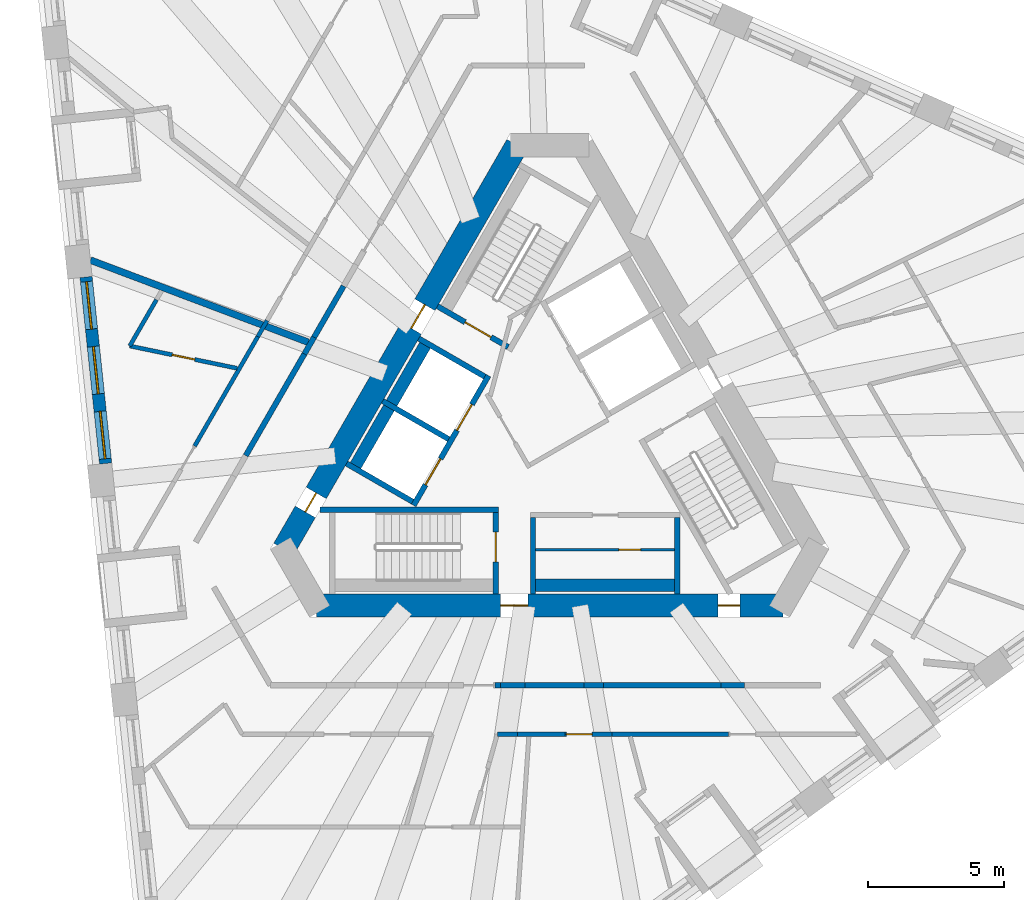
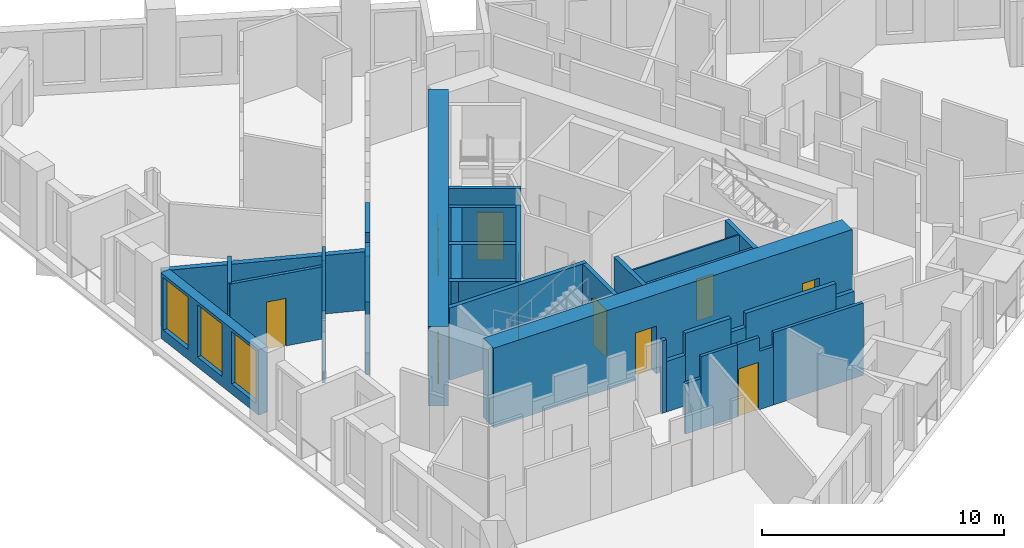
# One storey, part 4 of 14: 33 walls, 11 doors, 3 windows, 14 openings.
"""IFC4 building model written with IfcOpenShell, lengths in metres."""

import ifcopenshell
import ifcopenshell.guid

model = None  # the IFC model being written
_history = None  # IfcOwnerHistory: only IFC2X3 demands one
_inside = {}  # id of a spatial element -> (the spatial element, [elements in it])
_under = {}  # id of a project, library or spatial element -> (it, [spatial elements below it])
_declared = {}  # id of a project -> (the project, [libraries it declares])
_typed = {}  # id of a type object -> (the type object, [elements of that type])
_made_of = {}  # id of a material, layer set ... -> (it, [elements and type objects made of it])


def new_model(schema):
    """Start an empty IFC model of exactly this schema.

    Asked for "IFC4X3", IfcOpenShell would pick the latest addendum, in which some entities
    have other attributes; the version numbers below select the first issue.
    IFC2X3 requires an IfcOwnerHistory on every rooted entity: one is made here for all.
    """
    global model, _history
    if schema == "IFC4X3":
        model = ifcopenshell.file(schema_version=(4, 3, 0, 0))
    else:
        model = ifcopenshell.file(schema=schema)
    _inside.clear()
    _under.clear()
    _declared.clear()
    _typed.clear()
    _made_of.clear()
    _history = None
    if model.schema == "IFC2X3":
        org = make("IfcOrganization", Name="unknown")
        user = make(
            "IfcPersonAndOrganization",
            ThePerson=make("IfcPerson", FamilyName="unknown"),
            TheOrganization=org,
        )
        app = make(
            "IfcApplication",
            ApplicationDeveloper=org,
            Version="unknown",
            ApplicationFullName="unknown",
            ApplicationIdentifier="unknown",
        )
        _history = make(
            "IfcOwnerHistory",
            OwningUser=user,
            OwningApplication=app,
            ChangeAction="ADDED",
            CreationDate=0,
        )
    return model


def make(cls, **values):
    """One entity of the class cls with the attributes given. An attribute that is None is left unset."""
    return model.create_entity(
        cls, **{name: value for name, value in values.items() if value is not None}
    )


def rooted(cls, **values):
    """An entity with a GlobalId (a new one), such as an element, a storey or a relation."""
    return make(cls, GlobalId=ifcopenshell.guid.new(), OwnerHistory=_history, **values)


def si_unit(unit_type, name, prefix=None):
    """IfcSIUnit, for example si_unit("LENGTHUNIT", "METRE", prefix="MILLI")."""
    return make("IfcSIUnit", UnitType=unit_type, Prefix=prefix, Name=name)


def assignment(units):
    """IfcUnitAssignment: the units of a project."""
    return None if units is None else make("IfcUnitAssignment", Units=units)


def point(xyz):
    """IfcCartesianPoint."""
    return None if xyz is None else make("IfcCartesianPoint", Coordinates=xyz)


def direction(xyz):
    """IfcDirection."""
    return None if xyz is None else make("IfcDirection", DirectionRatios=xyz)


def frame(location, z_axis=None, x_axis=None):
    """IfcAxis2Placement3D, a coordinate frame: its origin and axes. An axis left out is left unset."""
    return make(
        "IfcAxis2Placement3D",
        Location=point(location),
        Axis=direction(z_axis),
        RefDirection=direction(x_axis),
    )


def frame_2d(location, x_axis=None):
    """IfcAxis2Placement2D, a coordinate frame in the plane: its origin and x axis."""
    return make(
        "IfcAxis2Placement2D", Location=point(location), RefDirection=direction(x_axis)
    )


def origin():
    """The frame at (0, 0, 0) with its axes left unset."""
    return frame((0.0, 0.0, 0.0))


def place(relative_to, where):
    """IfcLocalPlacement: puts the frame where relative to a parent placement (None: the world)."""
    return make(
        "IfcLocalPlacement", PlacementRelTo=relative_to, RelativePlacement=where
    )


def context(
    kind, dimensions, precision=None, world=None, true_north=None, identifier=None
):
    """IfcGeometricRepresentationContext, for example the 3D "Model" context."""
    return make(
        "IfcGeometricRepresentationContext",
        ContextIdentifier=identifier,
        ContextType=kind,
        CoordinateSpaceDimension=dimensions,
        Precision=precision,
        WorldCoordinateSystem=world,
        TrueNorth=true_north,
    )


def subcontext(parent, identifier, kind, view, scale=None):
    """IfcGeometricRepresentationSubContext, for example "Body" below "Model"."""
    return make(
        "IfcGeometricRepresentationSubContext",
        ContextIdentifier=identifier,
        ContextType=kind,
        ParentContext=parent,
        TargetScale=scale,
        TargetView=view,
    )


def project(units=None, contexts=None):
    """IfcProject with its units and contexts."""
    return rooted(
        "IfcProject",
        Name="project",
        RepresentationContexts=contexts,
        UnitsInContext=assignment(units),
    )


def spatial(cls, under=None, at=None, **own):
    """A site, building, storey or space (cls), placed at a placement, below another one or the project."""
    s = rooted(cls, ObjectPlacement=at, **own)
    if under is not None:
        _under.setdefault(under.id(), (under, []))[1].append(s)
    return s


def polyline(points):
    """IfcPolyline through the points."""
    return make("IfcPolyline", Points=[point(p) for p in points])


def profile(cls, at=None, kind="AREA", **sizes):
    """A parametric profile (cls). Its sizes go by their IFC names, for example OverallWidth=200.0."""
    return make(cls, ProfileType=kind, Position=at, **sizes)


def rectangle(**sizes):
    """IfcRectangleProfileDef."""
    return profile("IfcRectangleProfileDef", **sizes)


def outline(outer, holes=None, kind="AREA"):
    """IfcArbitraryClosedProfileDef: a profile drawn as a closed curve; with holes, ...WithVoids."""
    if holes is None:
        return make("IfcArbitraryClosedProfileDef", ProfileType=kind, OuterCurve=outer)
    return make(
        "IfcArbitraryProfileDefWithVoids",
        ProfileType=kind,
        OuterCurve=outer,
        InnerCurves=holes,
    )


def extrude(swept, where, along, depth):
    """IfcExtrudedAreaSolid: the profile swept, set in the frame where, extruded along a direction by depth."""
    return make(
        "IfcExtrudedAreaSolid",
        SweptArea=swept,
        Position=where,
        ExtrudedDirection=direction(along),
        Depth=depth,
    )


def shape(context_of_items, identifier, shape_type, items):
    """IfcShapeRepresentation: the items that make up one representation, for example the "Body"."""
    return make(
        "IfcShapeRepresentation",
        ContextOfItems=context_of_items,
        RepresentationIdentifier=identifier,
        RepresentationType=shape_type,
        Items=items,
    )


def material(Name=None, Category=None):
    """IfcMaterial."""
    return make("IfcMaterial", Name=Name, Category=Category)


def layer(
    of_material, thickness, ventilated=None, Name=None, Category=None, Priority=None
):
    """IfcMaterialLayer: one layer of a wall or slab, of a material (None: an air gap)."""
    return make(
        "IfcMaterialLayer",
        Material=of_material,
        LayerThickness=thickness,
        IsVentilated=ventilated,
        Name=Name,
        Category=Category,
        Priority=Priority,
    )


def layer_set(layers, Name=None):
    """IfcMaterialLayerSet."""
    return make("IfcMaterialLayerSet", MaterialLayers=layers, LayerSetName=Name)


def made_of(thing, what):
    """Note that an element or type object is made of a material, layer set ...; save() writes the relation."""
    if what is not None:
        _made_of.setdefault(what.id(), (what, []))[1].append(thing)
    return thing


def type_object(cls, material=None, **own):
    """A type object (cls), such as IfcWallType, which elements share."""
    return made_of(rooted(cls, **own), material)


def element(
    cls,
    number,
    at=None,
    inside=None,
    cuts=None,
    type_object=None,
    material=None,
    context=None,
    identifier="Body",
    shape_type=None,
    held_by="IfcProductDefinitionShape",
    body=None,
    shapes=None,
    **own,
):
    """One element of the class cls, such as IfcWall. Its Tag is "e" and its number.

    at: its placement. inside: the storey or other place that contains it. cuts: it is an
    opening in that element (IfcRelVoidsElement). A single representation is given by context,
    identifier, shape_type and body (its items); several are given by shapes. held_by: the class
    of the entity that holds the representations. save() writes the other relations.
    """
    e = rooted(cls, Tag="e%d" % number, ObjectPlacement=at, **own)
    if body is not None:
        shapes = [shape(context, identifier, shape_type, body)]
    if shapes is not None:
        e.Representation = make(held_by, Representations=shapes)
    if inside is not None:
        _inside.setdefault(inside.id(), (inside, []))[1].append(e)
    if cuts is not None:
        rooted(
            "IfcRelVoidsElement", RelatingBuildingElement=cuts, RelatedOpeningElement=e
        )
    if type_object is not None:
        _typed.setdefault(type_object.id(), (type_object, []))[1].append(e)
    return made_of(e, material)


def fill(opening, filler):
    """IfcRelFillsElement: the door or window that sits in an opening."""
    return rooted(
        "IfcRelFillsElement",
        RelatingOpeningElement=opening,
        RelatedBuildingElement=filler,
    )


def aggregate(whole, parts):
    """IfcRelAggregates: a whole, such as a stair, and the parts it consists of."""
    return rooted("IfcRelAggregates", RelatingObject=whole, RelatedObjects=parts)


def save(model, path):
    """Write the relations noted so far, then the file.

    IfcRelAggregates (storeys below a building ...), IfcRelContainedInSpatialStructure (elements
    in a storey), IfcRelDefinesByType, IfcRelAssociatesMaterial and IfcRelDeclares: one each for
    every whole, place, type object, material and project.
    """
    for whole, parts in _under.values():
        aggregate(whole, parts)
    for where, things in _inside.values():
        rooted(
            "IfcRelContainedInSpatialStructure",
            RelatedElements=things,
            RelatingStructure=where,
        )
    for kind, things in _typed.values():
        rooted("IfcRelDefinesByType", RelatedObjects=things, RelatingType=kind)
    for what, things in _made_of.values():
        rooted("IfcRelAssociatesMaterial", RelatedObjects=things, RelatingMaterial=what)
    for by, libraries in _declared.values():
        rooted("IfcRelDeclares", RelatingContext=by, RelatedDefinitions=libraries)
    model.write(path)


model = new_model("IFC4")

# Units and contexts
model_context = context("Model", 3, precision=1e-05, world=origin(), true_north=direction((0.0, 1.0)))
body_context = subcontext(model_context, "Body", "Model", "MODEL_VIEW")
ifc_project = project(units=[si_unit("LENGTHUNIT", "METRE"), si_unit("AREAUNIT", "SQUARE_METRE"), si_unit("VOLUMEUNIT", "CUBIC_METRE"), si_unit("PLANEANGLEUNIT", "RADIAN"), si_unit("MASSUNIT", "GRAM", prefix="KILO")], contexts=[model_context])

# Site, building, storey
site_placement = place(None, origin())
site = spatial("IfcSite", under=ifc_project, at=site_placement, CompositionType="ELEMENT")
building_placement = place(site_placement, origin())
building = spatial("IfcBuilding", under=site, at=building_placement, Name="Tramontana Tower", CompositionType="ELEMENT")
storey_placement = place(building_placement, frame((0.0, 0.0, 190.800048828125)))
storey = spatial("IfcBuildingStorey", under=building, at=storey_placement, Name="L44", CompositionType="ELEMENT", Elevation=190.800048828125)

# Wall, openings, doors
ifc_material_1 = material(Name="Concrete 70 MPa", Category="concrete")
ifc_layer_1 = layer(ifc_material_1, 0.85009765625)
ifc_layer_set_1 = layer_set([ifc_layer_1], Name="Core wall 850 70 MPa")
wall_type_1 = type_object("IfcWallType", Name="Core wall 850 70 MPa", PredefinedType="SHEAR", material=ifc_layer_set_1)
wall_1_placement = place(storey_placement, frame((-1.197998046875, 10.574951171875, 0.0), z_axis=(0.0, 0.0, 1.0), x_axis=(-0.499995289315, -0.866028123483, 0.0)))
wall_1 = element("IfcWall", 1, at=wall_1_placement, inside=storey, type_object=wall_type_1, Name="Core wall C1 L44", PredefinedType="SHEAR", context=body_context, shape_type="SweptSolid", body=[
    extrude(rectangle(XDim=17.118408203125, YDim=0.85009765625, at=frame_2d((8.55908203125, 0.0))), origin(), (0.0, 0.0, 1.0), 4.0),
])
opening_1_placement = place(wall_1_placement, frame((6.76416015625, 0.0, 0.0)))
opening_1 = element("IfcOpeningElement", 2, at=opening_1_placement, cuts=wall_1, Name="Opening RG1", PredefinedType="OPENING", context=body_context, shape_type="SweptSolid", body=[
    extrude(rectangle(XDim=1.0, YDim=2.39990234375, at=frame_2d((0.5, 1.199951171875))), frame((0.0, 0.43505859375, 0.0), z_axis=(0.0, -1.0, 0.0), x_axis=(1.0, 0.0, 0.0)), (0.0, 0.0, 1.0), 0.8701171875),
])
opening_2_placement = place(wall_1_placement, frame((14.7421875, 0.0, 0.0)))
opening_2 = element("IfcOpeningElement", 3, at=opening_2_placement, cuts=wall_1, Name="Opening PD1", PredefinedType="OPENING", context=body_context, shape_type="SweptSolid", body=[
    extrude(rectangle(XDim=0.800048828125, YDim=2.10009765625, at=frame_2d((0.39990234375, 1.050048828125))), frame((0.0, 0.43505859375, 0.0), z_axis=(0.0, -1.0, 0.0), x_axis=(1.0, 0.0, 0.0)), (0.0, 0.0, 1.0), 0.8701171875),
])
ifc_material_2 = material(Name="Painted steel", Category="steel")
door_type_1 = type_object("IfcDoorType", Name="CUPBOARD DOOR 800", OperationType="SINGLE_SWING_LEFT", PredefinedType="DOOR", material=ifc_material_2)
door_1_placement = place(opening_2_placement, origin())
door_1 = element("IfcDoor", 4, at=door_1_placement, inside=storey, type_object=door_type_1, Name="Door PD1", OperationType="SINGLE_SWING_LEFT", OverallHeight=2.10009765625, OverallWidth=0.800048828125, PredefinedType="DOOR", context=body_context, shape_type="SweptSolid", body=[
    extrude(rectangle(XDim=0.800048828125, YDim=2.10009765625, at=frame_2d((0.39990234375, 1.050048828125))), frame((0.0, 0.02490234375, 0.0), z_axis=(0.0, -1.0, 0.0), x_axis=(1.0, 0.0, 0.0)), (0.0, 0.0, 1.0), 0.050048828125),
])
fill(opening_2, door_1)
ifc_material_3 = material(Name="Painted steel", Category="steel")
door_type_2 = type_object("IfcDoorType", Name="RING DOOR 1000", OperationType="SINGLE_SWING_LEFT", PredefinedType="DOOR", material=ifc_material_3)
door_2_placement = place(opening_1_placement, origin())
door_2 = element("IfcDoor", 5, at=door_2_placement, inside=storey, type_object=door_type_2, Name="Door RG1", OperationType="SINGLE_SWING_RIGHT", OverallHeight=2.39990234375, OverallWidth=1.0, PredefinedType="DOOR", context=body_context, shape_type="SweptSolid", body=[
    extrude(rectangle(XDim=1.0, YDim=2.39990234375, at=frame_2d((0.5, 1.199951171875))), frame((0.0, 0.02490234375, 0.0), z_axis=(0.0, -1.0, 0.0), x_axis=(1.0, 0.0, 0.0)), (0.0, 0.0, 1.0), 0.050048828125),
])
fill(opening_1, door_2)

wall_2_placement = place(storey_placement, frame((-8.55908203125, -6.324951171875, 0.0), z_axis=(0.0, 0.0, 1.0), x_axis=(1.0, 0.0, 0.0)))
wall_2 = element("IfcWall", 6, at=wall_2_placement, inside=storey, type_object=wall_type_1, Name="Core wall C3 L44", PredefinedType="SHEAR", context=body_context, shape_type="SweptSolid", body=[
    extrude(rectangle(XDim=17.1181640625, YDim=0.85009765625, at=frame_2d((8.55908203125, 0.0))), origin(), (0.0, 0.0, 1.0), 4.0),
])
opening_3_placement = place(wall_2_placement, frame((6.76416015625, 0.0, 0.0)))
opening_3 = element("IfcOpeningElement", 7, at=opening_3_placement, cuts=wall_2, Name="Opening RG2", PredefinedType="OPENING", context=body_context, shape_type="SweptSolid", body=[
    extrude(rectangle(XDim=1.0, YDim=2.39990234375, at=frame_2d((0.5, 1.199951171875))), frame((0.0, 0.43505859375, 0.0), z_axis=(0.0, -1.0, 0.0), x_axis=(1.0, 0.0, 0.0)), (0.0, 0.0, 1.0), 0.8701171875),
])
opening_4_placement = place(wall_2_placement, frame((14.7421875, 0.0, 0.0)))
opening_4 = element("IfcOpeningElement", 8, at=opening_4_placement, cuts=wall_2, Name="Opening PD2", PredefinedType="OPENING", context=body_context, shape_type="SweptSolid", body=[
    extrude(rectangle(XDim=0.800048828125, YDim=2.10009765625, at=frame_2d((0.39990234375, 1.050048828125))), frame((0.0, 0.43505859375, 0.0), z_axis=(0.0, -1.0, 0.0), x_axis=(1.0, 0.0, 0.0)), (0.0, 0.0, 1.0), 0.8701171875),
])
door_3_placement = place(opening_4_placement, origin())
door_3 = element("IfcDoor", 9, at=door_3_placement, inside=storey, type_object=door_type_1, Name="Door PD2", OperationType="SINGLE_SWING_RIGHT", OverallHeight=2.10009765625, OverallWidth=0.800048828125, PredefinedType="DOOR", context=body_context, shape_type="SweptSolid", body=[
    extrude(rectangle(XDim=0.800048828125, YDim=2.10009765625, at=frame_2d((0.39990234375, 1.050048828125))), frame((0.0, 0.02490234375, 0.0), z_axis=(0.0, -1.0, 0.0), x_axis=(1.0, 0.0, 0.0)), (0.0, 0.0, 1.0), 0.050048828125),
])
fill(opening_4, door_3)
door_4_placement = place(opening_3_placement, origin())
door_4 = element("IfcDoor", 10, at=door_4_placement, inside=storey, type_object=door_type_2, Name="Door RG2", OperationType="SINGLE_SWING_LEFT", OverallHeight=2.39990234375, OverallWidth=1.0, PredefinedType="DOOR", context=body_context, shape_type="SweptSolid", body=[
    extrude(rectangle(XDim=1.0, YDim=2.39990234375, at=frame_2d((0.5, 1.199951171875))), frame((0.0, 0.02490234375, 0.0), z_axis=(0.0, -1.0, 0.0), x_axis=(1.0, 0.0, 0.0)), (0.0, 0.0, 1.0), 0.050048828125),
])
fill(opening_3, door_4)

# Walls
ifc_material_4 = material(Name="Blockwork", Category="masonry")
ifc_layer_2 = layer(ifc_material_4, 0.199951171875)
ifc_layer_set_2 = layer_set([ifc_layer_2], Name="ENTRY WALL 200")
wall_type_2 = type_object("IfcWallType", Name="ENTRY WALL 200", PredefinedType="SOLIDWALL", material=ifc_layer_set_2)
wall_3_placement = place(storey_placement, frame((7.153076171875, -9.25, 0.0), z_axis=(0.0, 0.0, 1.0), x_axis=(-1.0, 0.0, 0.0)))
element("IfcWall", 11, at=wall_3_placement, inside=storey, type_object=wall_type_2, Name="Wall v42-ew2-1", PredefinedType="SOLIDWALL", context=body_context, shape_type="SweptSolid", body=[
    extrude(rectangle(XDim=0.865234375, YDim=0.199951171875, at=frame_2d((0.4326171875, 0.0))), origin(), (0.0, 0.0, 1.0), 2.949951171875),
])
wall_4_placement = place(storey_placement, frame((6.287841796875, -9.25, 0.0), z_axis=(0.0, 0.0, 1.0), x_axis=(-1.0, 0.0, 0.0)))
element("IfcWall", 12, at=wall_4_placement, inside=storey, type_object=wall_type_2, Name="Wall v42-ew2-2", PredefinedType="SOLIDWALL", context=body_context, shape_type="SweptSolid", body=[
    extrude(rectangle(XDim=4.306640625, YDim=0.199951171875, at=frame_2d((2.1533203125, 0.0))), origin(), (0.0, 0.0, 1.0), 3.64990234375),
])
wall_5_placement = place(storey_placement, frame((1.981201171875, -9.25, 0.0), z_axis=(0.0, 0.0, 1.0), x_axis=(-1.0, 0.0, 0.0)))
element("IfcWall", 13, at=wall_5_placement, inside=storey, type_object=wall_type_2, Name="Wall v42-ew2-3", PredefinedType="SOLIDWALL", context=body_context, shape_type="SweptSolid", body=[
    extrude(rectangle(XDim=0.710693359375, YDim=0.199951171875, at=frame_2d((0.35546875, 0.0))), origin(), (0.0, 0.0, 1.0), 2.949951171875),
])
wall_6_placement = place(storey_placement, frame((1.2705078125, -9.25, 0.0), z_axis=(0.0, 0.0, 1.0), x_axis=(-1.0, 0.0, 0.0)))
element("IfcWall", 14, at=wall_6_placement, inside=storey, type_object=wall_type_2, Name="Wall v42-ew2-4", PredefinedType="SOLIDWALL", context=body_context, shape_type="SweptSolid", body=[
    extrude(rectangle(XDim=2.169677734375, YDim=0.199951171875, at=frame_2d((1.0849609375, 0.0))), origin(), (0.0, 0.0, 1.0), 3.64990234375),
])
wall_7_placement = place(storey_placement, frame((-0.899169921875, -9.25, 0.0), z_axis=(0.0, 0.0, 1.0), x_axis=(-1.0, 0.0, 0.0)))
element("IfcWall", 15, at=wall_7_placement, inside=storey, type_object=wall_type_2, Name="Wall v42-ew2-5", PredefinedType="SOLIDWALL", context=body_context, shape_type="SweptSolid", body=[
    extrude(rectangle(XDim=0.909423828125, YDim=0.199951171875, at=frame_2d((0.45458984375, 0.0))), origin(), (0.0, 0.0, 1.0), 2.550048828125),
])
wall_8_placement = place(storey_placement, frame((-1.80859375, -9.25, 0.0), z_axis=(0.0, 0.0, 1.0), x_axis=(-1.0, 0.0, 0.0)))
element("IfcWall", 16, at=wall_8_placement, inside=storey, type_object=wall_type_2, Name="Wall v42-ew2-6", PredefinedType="SOLIDWALL", context=body_context, shape_type="SweptSolid", body=[
    extrude(rectangle(XDim=0.200439453125, YDim=0.199951171875, at=frame_2d((0.10009765625, 0.0))), origin(), (0.0, 0.0, 1.0), 3.64990234375),
])
wall_9_placement = place(storey_placement, frame((-11.15478515625, -0.820556640625, 0.0), z_axis=(0.0, 0.0, 1.0), x_axis=(0.499992344383, 0.866029823712, 0.0)))
element("IfcWall", 17, at=wall_9_placement, inside=storey, type_object=wall_type_2, Name="Wall v42-ew4-2", PredefinedType="SOLIDWALL", context=body_context, shape_type="SweptSolid", body=[
    extrude(rectangle(XDim=4.306640625, YDim=0.199951171875, at=frame_2d((2.1533203125, 0.0))), origin(), (0.0, 0.0, 1.0), 3.64990234375),
])
wall_10_placement = place(storey_placement, frame((-9.00146484375, 2.9091796875, 0.0), z_axis=(0.0, 0.0, 1.0), x_axis=(0.50012879774, 0.865951029603, 0.0)))
element("IfcWall", 18, at=wall_10_placement, inside=storey, type_object=wall_type_2, Name="Wall v42-ew4-3", PredefinedType="SOLIDWALL", context=body_context, shape_type="SweptSolid", body=[
    extrude(rectangle(XDim=0.710693359375, YDim=0.199951171875, at=frame_2d((0.35546875, 0.0))), origin(), (0.0, 0.0, 1.0), 2.949951171875),
])
wall_11_placement = place(storey_placement, frame((-8.64599609375, 3.524658203125, 0.0), z_axis=(0.0, 0.0, 1.0), x_axis=(0.499975720793, 0.866039420937, 0.0)))
element("IfcWall", 19, at=wall_11_placement, inside=storey, type_object=wall_type_2, Name="Wall v42-ew4-4", PredefinedType="SOLIDWALL", context=body_context, shape_type="SweptSolid", body=[
    extrude(rectangle(XDim=2.16943359375, YDim=0.199951171875, at=frame_2d((1.084716796875, 0.0))), origin(), (0.0, 0.0, 1.0), 3.64990234375),
])

# Wall, openings, windows
ifc_material_5 = material(Name="Precast concrete 60 MPa", Category="concrete")
ifc_layer_3 = layer(ifc_material_5, 0.449951171875)
ifc_layer_set_3 = layer_set([ifc_layer_3], Name="Precast concrete 60 MPa, 450 mm")
wall_type_3 = type_object("IfcWallType", Name="EW1 Stone-faced precast wall 450", PredefinedType="SOLIDWALL", material=ifc_layer_set_3)
wall_12_placement = place(storey_placement, frame((-17.017822265625, 5.735595703125, 0.0), z_axis=(0.0, 0.0, 1.0), x_axis=(0.104531531326, -0.994521572898, 0.0)))
wall_12 = element("IfcWall", 20, at=wall_12_placement, inside=storey, type_object=wall_type_3, Name="External wall L44 face 0 bay 3", PredefinedType="SOLIDWALL", context=body_context, shape_type="SweptSolid", body=[
    extrude(rectangle(XDim=6.8828125, YDim=0.449951171875, at=frame_2d((3.44140625, 0.0))), origin(), (0.0, 0.0, 1.0), 3.300048828125),
])
opening_5_placement = place(wall_12_placement, frame((0.172119140625, 0.0, 0.5)))
opening_5 = element("IfcOpeningElement", 21, at=opening_5_placement, cuts=wall_12, Name="Opening M2", PredefinedType="OPENING", context=body_context, shape_type="SweptSolid", body=[
    extrude(rectangle(XDim=1.75, YDim=2.64990234375, at=frame_2d((0.875, 1.324951171875))), frame((0.0, 0.23486328125, 0.0), z_axis=(0.0, -1.0, 0.0), x_axis=(1.0, 0.0, 0.0)), (0.0, 0.0, 1.0), 0.469970703125),
])
opening_6_placement = place(wall_12_placement, frame((2.56640625, 0.0, 0.5)))
opening_6 = element("IfcOpeningElement", 22, at=opening_6_placement, cuts=wall_12, Name="Opening M2", PredefinedType="OPENING", context=body_context, shape_type="SweptSolid", body=[
    extrude(rectangle(XDim=1.75, YDim=2.64990234375, at=frame_2d((0.875, 1.324951171875))), frame((0.0, 0.23486328125, 0.0), z_axis=(0.0, -1.0, 0.0), x_axis=(1.0, 0.0, 0.0)), (0.0, 0.0, 1.0), 0.469970703125),
])
opening_7_placement = place(wall_12_placement, frame((4.960693359375, 0.0, 0.5)))
opening_7 = element("IfcOpeningElement", 23, at=opening_7_placement, cuts=wall_12, Name="Opening M2", PredefinedType="OPENING", context=body_context, shape_type="SweptSolid", body=[
    extrude(rectangle(XDim=1.75, YDim=2.64990234375, at=frame_2d((0.875, 1.324951171875))), frame((0.0, 0.23486328125, 0.0), z_axis=(0.0, -1.0, 0.0), x_axis=(1.0, 0.0, 0.0)), (0.0, 0.0, 1.0), 0.469970703125),
])
ifc_material_6 = material(Name="Aluminum frame, double glazing unit", Category="aluminium")
window_type = type_object("IfcWindowType", Name="M2 Window 1.75 x 2.65", PartitioningType="SINGLE_PANEL", PredefinedType="WINDOW", material=ifc_material_6)
window_1_placement = place(opening_5_placement, origin())
window_1 = element("IfcWindow", 24, at=window_1_placement, inside=storey, type_object=window_type, Name="Window M2 L44 face 0 module 7", OverallHeight=2.64990234375, OverallWidth=1.75, PartitioningType="SINGLE_PANEL", PredefinedType="WINDOW", context=body_context, shape_type="SweptSolid", body=[
    extrude(rectangle(XDim=1.75, YDim=2.64990234375, at=frame_2d((0.875, 1.324951171875))), frame((0.0, 0.030029296875, 0.0), z_axis=(0.0, -1.0, 0.0), x_axis=(1.0, 0.0, 0.0)), (0.0, 0.0, 1.0), 0.06005859375),
])
fill(opening_5, window_1)
window_2_placement = place(opening_6_placement, origin())
window_2 = element("IfcWindow", 25, at=window_2_placement, inside=storey, type_object=window_type, Name="Window M2 L44 face 0 module 8", OverallHeight=2.64990234375, OverallWidth=1.75, PartitioningType="SINGLE_PANEL", PredefinedType="WINDOW", context=body_context, shape_type="SweptSolid", body=[
    extrude(rectangle(XDim=1.75, YDim=2.64990234375, at=frame_2d((0.875, 1.324951171875))), frame((0.0, 0.030029296875, 0.0), z_axis=(0.0, -1.0, 0.0), x_axis=(1.0, 0.0, 0.0)), (0.0, 0.0, 1.0), 0.06005859375),
])
fill(opening_6, window_2)
window_3_placement = place(opening_7_placement, origin())
window_3 = element("IfcWindow", 26, at=window_3_placement, inside=storey, type_object=window_type, Name="Window M2 L44 face 0 module 9", OverallHeight=2.64990234375, OverallWidth=1.75, PartitioningType="SINGLE_PANEL", PredefinedType="WINDOW", context=body_context, shape_type="SweptSolid", body=[
    extrude(rectangle(XDim=1.75, YDim=2.64990234375, at=frame_2d((0.875, 1.324951171875))), frame((0.0, 0.030029296875, 0.0), z_axis=(0.0, -1.0, 0.0), x_axis=(1.0, 0.0, 0.0)), (0.0, 0.0, 1.0), 0.06005859375),
])
fill(opening_7, window_3)

# Walls
ifc_material_7 = material(Name="Gypsum board partition")
ifc_layer_4 = layer(ifc_material_7, 0.14990234375)
ifc_layer_set_4 = layer_set([ifc_layer_4], Name="PARTITION 150")
wall_type_4 = type_object("IfcWallType", Name="PARTITION 150", PredefinedType="PARTITIONING", material=ifc_layer_set_4)
wall_13_placement = place(storey_placement, frame((-15.413330078125, 3.203369140625, 0.0), z_axis=(0.0, 0.0, 1.0), x_axis=(0.500020484464, 0.866013576751, 0.0)))
element("IfcWall", 27, at=wall_13_placement, inside=storey, type_object=wall_type_4, Name="Wall v42-pw00-0", PredefinedType="PARTITIONING", context=body_context, shape_type="SweptSolid", body=[
    extrude(rectangle(XDim=1.9619140625, YDim=0.14990234375, at=frame_2d((0.98095703125, 0.0))), origin(), (0.0, 0.0, 1.0), 3.64990234375),
])
wall_14_placement = place(storey_placement, frame((-13.029541015625, -0.4677734375, 0.0), z_axis=(0.0, 0.0, 1.0), x_axis=(0.499991475479, 0.866030325363, 0.0)))
element("IfcWall", 28, at=wall_14_placement, inside=storey, type_object=wall_type_4, Name="Wall v42-pw02-2", PredefinedType="PARTITIONING", context=body_context, shape_type="SweptSolid", body=[
    extrude(rectangle(XDim=4.634765625, YDim=0.14990234375, at=frame_2d((2.3173828125, 0.0))), origin(), (0.0, 0.0, 1.0), 3.64990234375),
])
wall_15_placement = place(storey_placement, frame((-10.712158203125, 3.546142578125, 0.0), z_axis=(0.0, 0.0, 1.0), x_axis=(0.50012328804, 0.865954211699, 0.0)))
element("IfcWall", 29, at=wall_15_placement, inside=storey, type_object=wall_type_4, Name="Wall v42-pw02-3", PredefinedType="PARTITIONING", context=body_context, shape_type="SweptSolid", body=[
    extrude(rectangle(XDim=0.685302734375, YDim=0.14990234375, at=frame_2d((0.3427734375, 0.0))), origin(), (0.0, 0.0, 1.0), 2.949951171875),
])

# Wall, opening, door
wall_16_placement = place(storey_placement, frame((-15.413330078125, 3.203369140625, 0.0), z_axis=(0.0, 0.0, 1.0), x_axis=(0.979079644167, -0.20347739525, 0.0)))
wall_16 = element("IfcWall", 30, at=wall_16_placement, inside=storey, type_object=wall_type_4, Name="Wall v42-pw09", PredefinedType="PARTITIONING", context=body_context, shape_type="SweptSolid", body=[
    extrude(rectangle(XDim=4.02783203125, YDim=0.14990234375, at=frame_2d((2.013916015625, 0.0))), origin(), (0.0, 0.0, 1.0), 3.64990234375),
])
opening_8_placement = place(wall_16_placement, frame((1.5888671875, 0.0, 0.0)))
opening_8 = element("IfcOpeningElement", 31, at=opening_8_placement, cuts=wall_16, Name="Opening B4C-11", PredefinedType="OPENING", context=body_context, shape_type="SweptSolid", body=[
    extrude(rectangle(XDim=0.85009765625, YDim=2.39990234375, at=frame_2d((0.425048828125, 1.199951171875))), frame((0.0, 0.0849609375, 0.0), z_axis=(0.0, -1.0, 0.0), x_axis=(1.0, 0.0, 0.0)), (0.0, 0.0, 1.0), 0.169921875),
])
ifc_material_8 = material(Name="Painted timber", Category="wood")
door_type_3 = type_object("IfcDoorType", Name="DOOR BATH 850", OperationType="SINGLE_SWING_LEFT", PredefinedType="DOOR", material=ifc_material_8)
door_5_placement = place(opening_8_placement, origin())
door_5 = element("IfcDoor", 32, at=door_5_placement, inside=storey, type_object=door_type_3, Name="Door B4C-11", OperationType="SINGLE_SWING_LEFT", OverallHeight=2.39990234375, OverallWidth=0.85009765625, PredefinedType="DOOR", context=body_context, shape_type="SweptSolid", body=[
    extrude(rectangle(XDim=0.85009765625, YDim=2.39990234375, at=frame_2d((0.425048828125, 1.199951171875))), frame((0.0, 0.02490234375, 0.0), z_axis=(0.0, -1.0, 0.0), x_axis=(1.0, 0.0, 0.0)), (0.0, 0.0, 1.0), 0.050048828125),
])
fill(opening_8, door_5)

# Wall
wall_17_placement = place(storey_placement, frame((6.56494140625, -11.050048828125, 0.0), z_axis=(0.0, 0.0, 1.0), x_axis=(-1.0, 0.0, 0.0)))
element("IfcWall", 33, at=wall_17_placement, inside=storey, type_object=wall_type_4, Name="Wall v42-pw31-2", PredefinedType="PARTITIONING", context=body_context, shape_type="SweptSolid", body=[
    extrude(rectangle(XDim=4.280029296875, YDim=0.14990234375, at=frame_2d((2.14013671875, 0.0))), origin(), (0.0, 0.0, 1.0), 3.64990234375),
])

# Wall, opening, door
wall_18_placement = place(storey_placement, frame((2.284912109375, -11.050048828125, 0.0), z_axis=(0.0, 0.0, 1.0), x_axis=(-1.0, 0.0, 0.0)))
wall_18 = element("IfcWall", 34, at=wall_18_placement, inside=storey, type_object=wall_type_4, Name="Wall v42-pw31-3", PredefinedType="PARTITIONING", context=body_context, shape_type="SweptSolid", body=[
    extrude(outline(polyline([(0.0, 0.0), (1.720458984375, 0.0), (1.720703125, 3.64990234375), (0.685302734375, 3.64990234375), (0.685302734375, 2.949951171875), (0.0, 2.949951171875), (0.0, 0.0)])), frame((0.0, 0.074951171875, 0.0), z_axis=(0.0, -1.0, 0.0), x_axis=(1.0, 0.0, 0.0)), (0.0, 0.0, 1.0), 0.14990234375),
])
opening_9_placement = place(wall_18_placement, frame((0.720703125, 0.0, 0.0)))
opening_9 = element("IfcOpeningElement", 35, at=opening_9_placement, cuts=wall_18, Name="Opening B4C-09", PredefinedType="OPENING", context=body_context, shape_type="SweptSolid", body=[
    extrude(rectangle(XDim=0.949951171875, YDim=2.39990234375, at=frame_2d((0.47509765625, 1.199951171875))), frame((0.0, 0.0849609375, 0.0), z_axis=(0.0, -1.0, 0.0), x_axis=(1.0, 0.0, 0.0)), (0.0, 0.0, 1.0), 0.169921875),
])
ifc_material_9 = material(Name="Painted timber", Category="wood")
door_type_4 = type_object("IfcDoorType", Name="DOOR ROOM 950", OperationType="SINGLE_SWING_LEFT", PredefinedType="DOOR", material=ifc_material_9)
door_6_placement = place(opening_9_placement, origin())
door_6 = element("IfcDoor", 36, at=door_6_placement, inside=storey, type_object=door_type_4, Name="Door B4C-09", OperationType="SINGLE_SWING_LEFT", OverallHeight=2.39990234375, OverallWidth=0.949951171875, PredefinedType="DOOR", context=body_context, shape_type="SweptSolid", body=[
    extrude(rectangle(XDim=0.949951171875, YDim=2.39990234375, at=frame_2d((0.47509765625, 1.199951171875))), frame((0.0, 0.02490234375, 0.0), z_axis=(0.0, -1.0, 0.0), x_axis=(1.0, 0.0, 0.0)), (0.0, 0.0, 1.0), 0.050048828125),
])
fill(opening_9, door_6)

# Walls
wall_19_placement = place(storey_placement, frame((0.564453125, -11.050048828125, 0.0), z_axis=(0.0, 0.0, 1.0), x_axis=(-1.0, 0.0, 0.0)))
element("IfcWall", 37, at=wall_19_placement, inside=storey, type_object=wall_type_4, Name="Wall v42-pw31-4", PredefinedType="PARTITIONING", context=body_context, shape_type="SweptSolid", body=[
    extrude(rectangle(XDim=1.73974609375, YDim=0.14990234375, at=frame_2d((0.869873046875, 0.0))), origin(), (0.0, 0.0, 1.0), 3.64990234375),
])
wall_20_placement = place(storey_placement, frame((-1.17529296875, -11.050048828125, 0.0), z_axis=(0.0, 0.0, 1.0), x_axis=(-1.0, 0.0, 0.0)))
element("IfcWall", 38, at=wall_20_placement, inside=storey, type_object=wall_type_4, Name="Wall v42-pw31-5", PredefinedType="PARTITIONING", context=body_context, shape_type="SweptSolid", body=[
    extrude(rectangle(XDim=0.744384765625, YDim=0.14990234375, at=frame_2d((0.3720703125, 0.0))), origin(), (0.0, 0.0, 1.0), 2.550048828125),
])

# Wall, opening, door
ifc_material_10 = material(Name="Gypsum board partition")
ifc_layer_5 = layer(ifc_material_10, 0.080078125)
ifc_layer_set_5 = layer_set([ifc_layer_5], Name="PARTITION 80")
wall_type_5 = type_object("IfcWallType", Name="PARTITION 80", PredefinedType="PARTITIONING", material=ifc_layer_set_5)
wall_21_placement = place(storey_placement, frame((4.590087890625, -4.27490234375, 0.0), z_axis=(0.0, 0.0, 1.0), x_axis=(-1.0, 0.0, 0.0)))
wall_21 = element("IfcWall", 39, at=wall_21_placement, inside=storey, type_object=wall_type_5, Name="Wall row1-split", PredefinedType="PARTITIONING", context=body_context, shape_type="SweptSolid", body=[
    extrude(rectangle(XDim=5.10009765625, YDim=0.080078125, at=frame_2d((2.550048828125, 0.0))), origin(), (0.0, 0.0, 1.0), 3.64990234375),
])
opening_10_placement = place(wall_21_placement, frame((1.25, 0.0, 0.0)))
opening_10 = element("IfcOpeningElement", 40, at=opening_10_placement, cuts=wall_21, Name="Opening RD-1B", PredefinedType="OPENING", context=body_context, shape_type="SweptSolid", body=[
    extrude(rectangle(XDim=0.800048828125, YDim=2.10009765625, at=frame_2d((0.39990234375, 1.050048828125))), frame((0.0, 0.050048828125, 0.0), z_axis=(0.0, -1.0, 0.0), x_axis=(1.0, 0.0, 0.0)), (0.0, 0.0, 1.0), 0.10009765625),
])
door_7_placement = place(opening_10_placement, origin())
door_7 = element("IfcDoor", 41, at=door_7_placement, inside=storey, type_object=door_type_1, Name="Door RD-1B", OperationType="SINGLE_SWING_RIGHT", OverallHeight=2.10009765625, OverallWidth=0.800048828125, PredefinedType="DOOR", context=body_context, shape_type="SweptSolid", body=[
    extrude(rectangle(XDim=0.800048828125, YDim=2.10009765625, at=frame_2d((0.39990234375, 1.050048828125))), frame((0.0, 0.02490234375, 0.0), z_axis=(0.0, -1.0, 0.0), x_axis=(1.0, 0.0, 0.0)), (0.0, 0.0, 1.0), 0.050048828125),
])
fill(opening_10, door_7)

# Walls
ifc_material_11 = material(Name="Blockwork", Category="masonry")
ifc_layer_6 = layer(ifc_material_11, 0.25)
ifc_layer_set_6 = layer_set([ifc_layer_6], Name="PARTY WALL 250")
wall_type_6 = type_object("IfcWallType", Name="PARTY WALL 250", PredefinedType="SOLIDWALL", material=ifc_layer_set_6)
wall_22_placement = place(storey_placement, frame((-8.866455078125, 3.343017578125, 0.0), z_axis=(0.0, 0.0, 1.0), x_axis=(-0.935697905285, 0.352802253459, 0.0)))
element("IfcWall", 42, at=wall_22_placement, inside=storey, type_object=wall_type_6, Name="Wall v42-pw11-0", PredefinedType="SOLIDWALL", context=body_context, shape_type="SweptSolid", body=[
    extrude(rectangle(XDim=8.539306640625, YDim=0.25, at=frame_2d((4.26953125, 0.0))), origin(), (0.0, 0.0, 1.0), 2.949951171875),
])
ifc_material_12 = material(Name="Concrete 70 MPa", Category="concrete")
ifc_layer_7 = layer(ifc_material_12, 0.449951171875)
ifc_layer_set_7 = layer_set([ifc_layer_7], Name="Concrete 70 MPa, 450 mm")
wall_type_7 = type_object("IfcWallType", Name="RC SHAFT BACK WALL 450", PredefinedType="SOLIDWALL", material=ifc_layer_set_7)
for number, where, z_axis, x_axis, name in (
    (43, (-4.47314453125, 3.40234375, 0.0), (0.0, 0.0, 1.0), (-0.499996545922, -0.866027397988, 0.0), "Wall row0-back"),
    (44, (-0.7099609375, -5.574951171875, 0.0), (0.0, 0.0, 1.0), (1.0, 0.0, 0.0), "Wall row1-back"),
):
    element("IfcWall", number, at=place(storey_placement, frame(where, z_axis=z_axis, x_axis=x_axis)), inside=storey, type_object=wall_type_7, Name=name, PredefinedType="SOLIDWALL", context=body_context, shape_type="SweptSolid", body=[
        extrude(rectangle(XDim=5.5, YDim=0.449951171875, at=frame_2d((2.75, 0.0))), origin(), (0.0, 0.0, 1.0), 3.64990234375),
    ])

# Wall, opening, door
ifc_material_13 = material(Name="Concrete 70 MPa", Category="concrete")
ifc_layer_8 = layer(ifc_material_13, 0.199951171875)
ifc_layer_set_8 = layer_set([ifc_layer_8], Name="Concrete 70 MPa, 200 mm")
wall_type_8 = type_object("IfcWallType", Name="RC STAIR AND SHAFT WALL 200", PredefinedType="SOLIDWALL", material=ifc_layer_set_8)
wall_23_placement = place(storey_placement, frame((-1.521484375, 3.164794921875, 0.0), z_axis=(0.0, 0.0, 1.0), x_axis=(-0.866031096941, 0.499990139034, 0.0)))
wall_23 = element("IfcWall", 45, at=wall_23_placement, inside=storey, type_object=wall_type_8, Name="Wall st1-near", PredefinedType="SOLIDWALL", context=body_context, shape_type="SweptSolid", body=[
    extrude(rectangle(XDim=3.0, YDim=0.199951171875, at=frame_2d((1.5, 0.0))), origin(), (0.0, 0.0, 1.0), 3.64990234375),
])
opening_11_placement = place(wall_23_placement, frame((0.72509765625, 0.0, 0.0)))
opening_11 = element("IfcOpeningElement", 46, at=opening_11_placement, cuts=wall_23, Name="Opening SD1", PredefinedType="OPENING", context=body_context, shape_type="SweptSolid", body=[
    extrude(rectangle(XDim=1.10009765625, YDim=2.39990234375, at=frame_2d((0.550048828125, 1.199951171875))), frame((0.0, 0.10986328125, 0.0), z_axis=(0.0, -1.0, 0.0), x_axis=(1.0, 0.0, 0.0)), (0.0, 0.0, 1.0), 0.219970703125),
])
ifc_material_14 = material(Name="Painted steel", Category="steel")
door_type_5 = type_object("IfcDoorType", Name="STAIR DOOR 1100", OperationType="SINGLE_SWING_LEFT", PredefinedType="DOOR", material=ifc_material_14)
door_8_placement = place(opening_11_placement, origin())
door_8 = element("IfcDoor", 47, at=door_8_placement, inside=storey, type_object=door_type_5, Name="Door SD1", OperationType="SINGLE_SWING_RIGHT", OverallHeight=2.39990234375, OverallWidth=1.10009765625, PredefinedType="DOOR", context=body_context, shape_type="SweptSolid", body=[
    extrude(rectangle(XDim=1.10009765625, YDim=2.39990234375, at=frame_2d((0.550048828125, 1.199951171875))), frame((0.0, 0.02490234375, 0.0), z_axis=(0.0, -1.0, 0.0), x_axis=(1.0, 0.0, 0.0)), (0.0, 0.0, 1.0), 0.050048828125),
])
fill(opening_11, door_8)

# Wall
wall_24_placement = place(storey_placement, frame((-8.42919921875, -2.800048828125, 0.0), z_axis=(0.0, 0.0, 1.0), x_axis=(1.0, 0.0, 0.0)))
element("IfcWall", 48, at=wall_24_placement, inside=storey, type_object=wall_type_8, Name="Wall st2-front", PredefinedType="SOLIDWALL", context=body_context, shape_type="SweptSolid", body=[
    extrude(rectangle(XDim=6.54931640625, YDim=0.199951171875, at=frame_2d((3.274658203125, 0.0))), origin(), (0.0, 0.0, 1.0), 3.64990234375),
])

# Wall, opening, door
wall_25_placement = place(storey_placement, frame((-1.97998046875, -2.89990234375, 0.0), z_axis=(0.0, 0.0, 1.0), x_axis=(0.0, -1.0, 0.0)))
wall_25 = element("IfcWall", 49, at=wall_25_placement, inside=storey, type_object=wall_type_8, Name="Wall st2-near", PredefinedType="SOLIDWALL", context=body_context, shape_type="SweptSolid", body=[
    extrude(rectangle(XDim=3.0, YDim=0.199951171875, at=frame_2d((1.5, 0.0))), origin(), (0.0, 0.0, 1.0), 3.64990234375),
])
opening_12_placement = place(wall_25_placement, frame((0.72509765625, 0.0, 0.0)))
opening_12 = element("IfcOpeningElement", 50, at=opening_12_placement, cuts=wall_25, Name="Opening SD2", PredefinedType="OPENING", context=body_context, shape_type="SweptSolid", body=[
    extrude(rectangle(XDim=1.10009765625, YDim=2.39990234375, at=frame_2d((0.550048828125, 1.199951171875))), frame((0.0, 0.10986328125, 0.0), z_axis=(0.0, -1.0, 0.0), x_axis=(1.0, 0.0, 0.0)), (0.0, 0.0, 1.0), 0.219970703125),
])
door_9_placement = place(opening_12_placement, origin())
door_9 = element("IfcDoor", 51, at=door_9_placement, inside=storey, type_object=door_type_5, Name="Door SD2", OperationType="SINGLE_SWING_LEFT", OverallHeight=2.39990234375, OverallWidth=1.10009765625, PredefinedType="DOOR", context=body_context, shape_type="SweptSolid", body=[
    extrude(rectangle(XDim=1.10009765625, YDim=2.39990234375, at=frame_2d((0.550048828125, 1.199951171875))), frame((0.0, 0.02490234375, 0.0), z_axis=(0.0, -1.0, 0.0), x_axis=(1.0, 0.0, 0.0)), (0.0, 0.0, 1.0), 0.050048828125),
])
fill(opening_12, door_9)

# Wall, openings, doors
wall_26_placement = place(storey_placement, frame((-2.2431640625, 2.114990234375, 0.0), z_axis=(0.0, 0.0, 1.0), x_axis=(-0.499996545922, -0.866027397988, 0.0)))
wall_26 = element("IfcWall", 52, at=wall_26_placement, inside=storey, type_object=wall_type_8, Name="Wall row0-front", PredefinedType="SOLIDWALL", context=body_context, shape_type="SweptSolid", body=[
    extrude(rectangle(XDim=5.5, YDim=0.199951171875, at=frame_2d((2.75, 0.0))), origin(), (0.0, 0.0, 1.0), 3.64990234375),
])
opening_13_placement = place(wall_26_placement, frame((1.219970703125, 0.0, 0.0)))
opening_13 = element("IfcOpeningElement", 53, at=opening_13_placement, cuts=wall_26, Name="Opening LD-P1", PredefinedType="OPENING", context=body_context, shape_type="SweptSolid", body=[
    extrude(rectangle(XDim=1.10009765625, YDim=2.10009765625, at=frame_2d((0.550048828125, 1.050048828125))), frame((0.0, 0.10986328125, 0.0), z_axis=(0.0, -1.0, 0.0), x_axis=(1.0, 0.0, 0.0)), (0.0, 0.0, 1.0), 0.219970703125),
])
opening_14_placement = place(wall_26_placement, frame((3.52490234375, 0.0, 0.0)))
opening_14 = element("IfcOpeningElement", 54, at=opening_14_placement, cuts=wall_26, Name="Opening LD-P2", PredefinedType="OPENING", context=body_context, shape_type="SweptSolid", body=[
    extrude(rectangle(XDim=1.10009765625, YDim=2.10009765625, at=frame_2d((0.550048828125, 1.050048828125))), frame((0.0, 0.10986328125, 0.0), z_axis=(0.0, -1.0, 0.0), x_axis=(1.0, 0.0, 0.0)), (0.0, 0.0, 1.0), 0.219970703125),
])
ifc_material_15 = material(Name="Brushed steel", Category="steel")
door_type_6 = type_object("IfcDoorType", Name="LANDING DOOR 1100", OperationType="SINGLE_SWING_LEFT", PredefinedType="DOOR", material=ifc_material_15)
door_10_placement = place(opening_13_placement, origin())
door_10 = element("IfcDoor", 55, at=door_10_placement, inside=storey, type_object=door_type_6, Name="Door LD-P1", OperationType="SLIDING_TO_LEFT", OverallHeight=2.10009765625, OverallWidth=1.10009765625, PredefinedType="DOOR", context=body_context, shape_type="SweptSolid", body=[
    extrude(rectangle(XDim=1.10009765625, YDim=2.10009765625, at=frame_2d((0.550048828125, 1.050048828125))), frame((0.0, 0.02490234375, 0.0), z_axis=(0.0, -1.0, 0.0), x_axis=(1.0, 0.0, 0.0)), (0.0, 0.0, 1.0), 0.050048828125),
])
fill(opening_13, door_10)
door_11_placement = place(opening_14_placement, origin())
door_11 = element("IfcDoor", 56, at=door_11_placement, inside=storey, type_object=door_type_6, Name="Door LD-P2", OperationType="SLIDING_TO_RIGHT", OverallHeight=2.10009765625, OverallWidth=1.10009765625, PredefinedType="DOOR", context=body_context, shape_type="SweptSolid", body=[
    extrude(rectangle(XDim=1.10009765625, YDim=2.10009765625, at=frame_2d((0.550048828125, 1.050048828125))), frame((0.0, 0.02490234375, 0.0), z_axis=(0.0, -1.0, 0.0), x_axis=(1.0, 0.0, 0.0)), (0.0, 0.0, 1.0), 0.050048828125),
])
fill(opening_14, door_11)

# Walls
wall_27_placement = place(storey_placement, frame((-2.379638671875, 2.078369140625, 0.0), z_axis=(0.0, 0.0, 1.0), x_axis=(-0.866034573852, 0.49998411664, 0.0)))
element("IfcWall", 57, at=wall_27_placement, inside=storey, type_object=wall_type_8, Name="Wall row0-side0", PredefinedType="SOLIDWALL", context=body_context, shape_type="SweptSolid", body=[
    extrude(rectangle(XDim=2.7998046875, YDim=0.199951171875, at=frame_2d((1.39990234375, 0.0))), origin(), (0.0, 0.0, 1.0), 3.64990234375),
])
wall_28_placement = place(storey_placement, frame((-3.70458984375, -0.216796875, 0.0), z_axis=(0.0, 0.0, 1.0), x_axis=(-0.866018616679, 0.500011755427, 0.0)))
element("IfcWall", 58, at=wall_28_placement, inside=storey, type_object=wall_type_8, Name="Wall row0-side1", PredefinedType="SOLIDWALL", context=body_context, shape_type="SweptSolid", body=[
    extrude(rectangle(XDim=2.80029296875, YDim=0.199951171875, at=frame_2d((1.400146484375, 0.0))), origin(), (0.0, 0.0, 1.0), 3.64990234375),
])
wall_29_placement = place(storey_placement, frame((-5.02978515625, -2.51171875, 0.0), z_axis=(0.0, 0.0, 1.0), x_axis=(-0.865996816683, 0.500049511043, 0.0)))
element("IfcWall", 59, at=wall_29_placement, inside=storey, type_object=wall_type_8, Name="Wall row0-side2", PredefinedType="SOLIDWALL", context=body_context, shape_type="SweptSolid", body=[
    extrude(rectangle(XDim=2.800048828125, YDim=0.199951171875, at=frame_2d((1.39990234375, 0.0))), origin(), (0.0, 0.0, 1.0), 3.64990234375),
])
for number, where, z_axis, x_axis, name in (
    (60, (-0.610107421875, -3.10009765625, 0.0), (0.0, 0.0, 1.0), (0.0, -1.0, 0.0), "Wall row1-side0"),
    (61, (4.68994140625, -3.10009765625, 0.0), (0.0, 0.0, 1.0), (0.0, -1.0, 0.0), "Wall row1-side2"),
):
    element("IfcWall", number, at=place(storey_placement, frame(where, z_axis=z_axis, x_axis=x_axis)), inside=storey, type_object=wall_type_8, Name=name, PredefinedType="SOLIDWALL", context=body_context, shape_type="SweptSolid", body=[
        extrude(rectangle(XDim=2.7998046875, YDim=0.199951171875, at=frame_2d((1.39990234375, 0.0))), origin(), (0.0, 0.0, 1.0), 3.64990234375),
    ])

save(model, "model.ifc")
